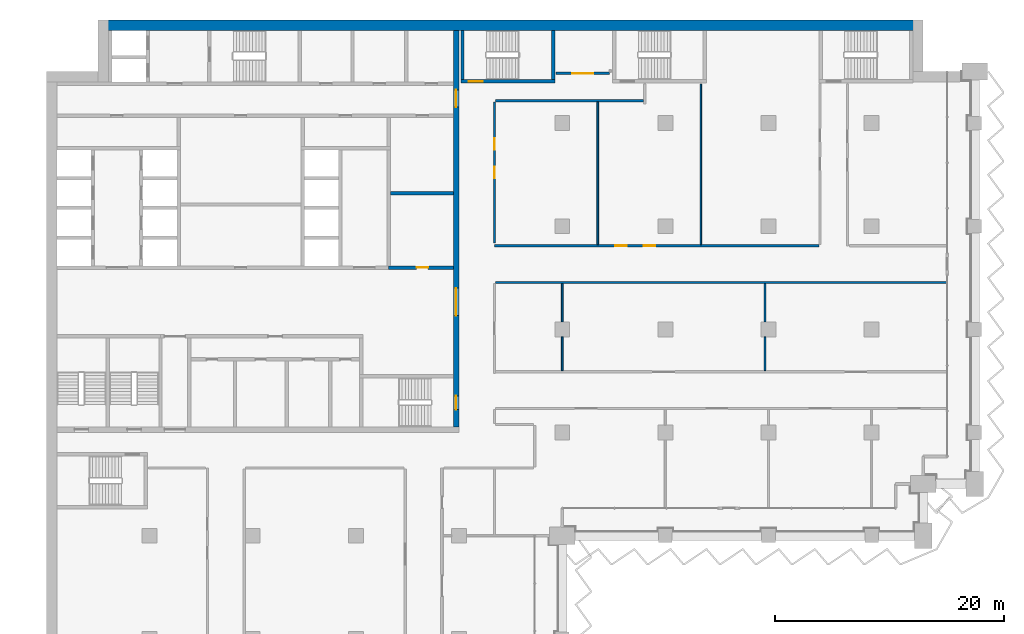
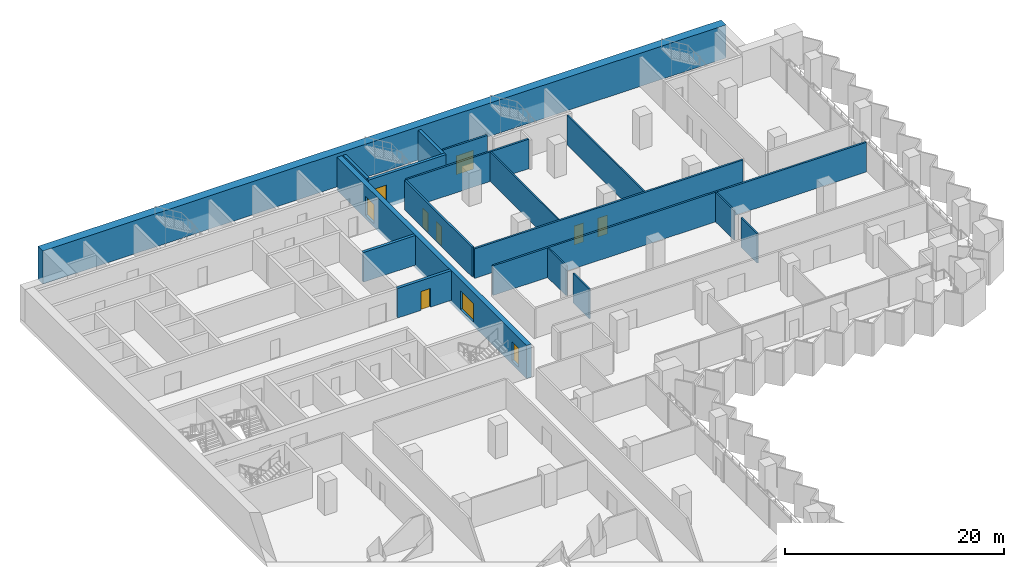
# One storey, part 14 of 23: 18 walls, 10 doors, 10 openings.
"""IFC4 building model written with IfcOpenShell, lengths in metres."""

from ifc_helpers import new_model, si_unit, direction, frame, frame_2d, origin, place, context, subcontext, project, spatial, rectangle, extrude, material, layer, layer_set, type_object, element, fill, save


model = new_model("IFC4")

# Units and contexts
model_context = context("Model", 3, precision=1e-05, world=origin(), true_north=direction((0.0, 1.0)))
body_context = subcontext(model_context, "Body", "Model", "MODEL_VIEW")
ifc_project = project(units=[si_unit("LENGTHUNIT", "METRE"), si_unit("AREAUNIT", "SQUARE_METRE"), si_unit("VOLUMEUNIT", "CUBIC_METRE"), si_unit("PLANEANGLEUNIT", "RADIAN"), si_unit("MASSUNIT", "GRAM", prefix="KILO")], contexts=[model_context])

# Site, building, storey
site_placement = place(None, origin())
site = spatial("IfcSite", under=ifc_project, at=site_placement, CompositionType="ELEMENT")
building_placement = place(site_placement, origin())
building = spatial("IfcBuilding", under=site, at=building_placement, Name="Hunhe Ridgeline Campus", CompositionType="ELEMENT")
storey_placement = place(building_placement, frame((0.0, 0.0, 107.0)))
storey = spatial("IfcBuildingStorey", under=building, at=storey_placement, Name="L26", CompositionType="ELEMENT", Elevation=107.0)

# Wall, opening, door
ifc_material_1 = material(Name="Masonry concrete blockwork", Category="masonry")
ifc_layer_1 = layer(ifc_material_1, 0.300048828125)
ifc_layer_set_1 = layer_set([ifc_layer_1], Name="Core room partition 300 concrete block")
wall_type_1 = type_object("IfcWallType", Name="Core room partition 300 concrete block", PredefinedType="PARTITIONING", material=ifc_layer_set_1)
wall_1_placement = place(storey_placement, frame((29.85009765625, 77.39990234375, 0.0), z_axis=(0.0, 0.0, 1.0), x_axis=(1.0, 0.0, 0.0)))
wall_1 = element("IfcWall", 1, at=wall_1_placement, inside=storey, type_object=wall_type_1, Name="L26 core partition 13", PredefinedType="PARTITIONING", context=body_context, shape_type="SweptSolid", body=[
    extrude(rectangle(XDim=5.64990234375, YDim=0.300048828125, at=frame_2d((2.824951171875, 0.0))), origin(), (0.0, 0.0, 1.0), 3.300048828125),
])
opening_1_placement = place(wall_1_placement, frame((2.449951171875, 0.0, 0.0)))
opening_1 = element("IfcOpeningElement", 2, at=opening_1_placement, cuts=wall_1, Name="Opening CD32", PredefinedType="OPENING", context=body_context, shape_type="SweptSolid", body=[
    extrude(rectangle(XDim=1.0, YDim=2.10009765625, at=frame_2d((0.5, 1.050048828125))), frame((0.0, 0.14990234375, 0.0), z_axis=(0.0, -1.0, 0.0), x_axis=(1.0, 0.0, 0.0)), (0.0, 0.0, 1.0), 0.300048828125),
])
ifc_material_2 = material(Name="Solid core timber door leaf", Category="wood")
door_type_1 = type_object("IfcDoorType", Name="Timber door 1000x2100", OperationType="SINGLE_SWING_LEFT", PredefinedType="DOOR", material=ifc_material_2)
door_1_placement = place(opening_1_placement, origin())
door_1 = element("IfcDoor", 3, at=door_1_placement, inside=storey, type_object=door_type_1, Name="L26 door ES0", OperationType="SINGLE_SWING_RIGHT", OverallHeight=2.10009765625, OverallWidth=1.0, PredefinedType="DOOR", context=body_context, shape_type="SweptSolid", body=[
    extrude(rectangle(XDim=1.0, YDim=2.10009765625, at=frame_2d((0.5, 1.050048828125))), frame((0.0, 0.02490234375, 0.0), z_axis=(0.0, -1.0, 0.0), x_axis=(1.0, 0.0, 0.0)), (0.0, 0.0, 1.0), 0.050048828125),
])
fill(opening_1, door_1)

# Wall
wall_2_placement = place(storey_placement, frame((30.0, 83.89990234375, 0.0), z_axis=(0.0, 0.0, 1.0), x_axis=(1.0, 0.0, 0.0)))
element("IfcWall", 4, at=wall_2_placement, inside=storey, type_object=wall_type_1, Name="L26 core partition 21", PredefinedType="PARTITIONING", context=body_context, shape_type="SweptSolid", body=[
    extrude(rectangle(XDim=5.5, YDim=0.300048828125, at=frame_2d((2.75, 0.0))), origin(), (0.0, 0.0, 1.0), 3.300048828125),
])

# Wall, openings, doors
ifc_material_3 = material(Name="Concrete C80", Category="concrete")
ifc_layer_2 = layer(ifc_material_3, 0.5)
ifc_layer_set_2 = layer_set([ifc_layer_2], Name="Core wall 500 reinforced concrete C80")
wall_type_2 = type_object("IfcWallType", Name="Core wall 500 reinforced concrete C80", PredefinedType="SOLIDWALL", material=ifc_layer_set_2)
wall_3_placement = place(storey_placement, frame((35.75, 63.5, -0.39990234375), z_axis=(0.0, 0.0, 1.0), x_axis=(0.0, 1.0, 0.0)))
wall_3 = element("IfcWall", 5, at=wall_3_placement, inside=storey, type_object=wall_type_2, Name="L26 core wall 60", PredefinedType="SOLIDWALL", context=body_context, shape_type="SweptSolid", body=[
    extrude(rectangle(XDim=34.60009765625, YDim=0.5, at=frame_2d((17.300048828125, 0.0))), origin(), (0.0, 0.0, 1.0), 3.699951171875),
])
opening_2_placement = place(wall_3_placement, frame((9.699951171875, 0.0, 0.39990234375)))
opening_2 = element("IfcOpeningElement", 6, at=opening_2_placement, cuts=wall_3, Name="Opening CD4", PredefinedType="OPENING", context=body_context, shape_type="SweptSolid", body=[
    extrude(rectangle(XDim=2.39990234375, YDim=2.10009765625, at=frame_2d((1.199951171875, 1.050048828125))), frame((0.0, 0.25, 0.0), z_axis=(0.0, -1.0, 0.0), x_axis=(1.0, 0.0, 0.0)), (0.0, 0.0, 1.0), 0.5),
])
opening_3_placement = place(wall_3_placement, frame((27.89990234375, 0.0, 0.39990234375)))
opening_3 = element("IfcOpeningElement", 7, at=opening_3_placement, cuts=wall_3, Name="Opening CD5", PredefinedType="OPENING", context=body_context, shape_type="SweptSolid", body=[
    extrude(rectangle(XDim=1.5, YDim=2.10009765625, at=frame_2d((0.75, 1.050048828125))), frame((0.0, 0.25, 0.0), z_axis=(0.0, -1.0, 0.0), x_axis=(1.0, 0.0, 0.0)), (0.0, 0.0, 1.0), 0.5),
])
opening_4_placement = place(wall_3_placement, frame((1.5, 0.0, 0.39990234375)))
opening_4 = element("IfcOpeningElement", 8, at=opening_4_placement, cuts=wall_3, Name="Opening CD15", PredefinedType="OPENING", context=body_context, shape_type="SweptSolid", body=[
    extrude(rectangle(XDim=1.199951171875, YDim=2.10009765625, at=frame_2d((0.60009765625, 1.050048828125))), frame((0.0, 0.25, 0.0), z_axis=(0.0, -1.0, 0.0), x_axis=(1.0, 0.0, 0.0)), (0.0, 0.0, 1.0), 0.5),
])
ifc_material_4 = material(Name="Anodised aluminium and glass", Category="aluminium")
door_type_2 = type_object("IfcDoorType", Name="Glazed double door 2400x2100", OperationType="DOUBLE_DOOR_SINGLE_SWING", PredefinedType="DOOR", material=ifc_material_4)
door_2_placement = place(opening_2_placement, frame((2.39990234375, 0.0, 0.0), z_axis=(0.0, 0.0, 1.0), x_axis=(-1.0, 0.0, 0.0)))
door_2 = element("IfcDoor", 9, at=door_2_placement, inside=storey, type_object=door_type_2, Name="L26 door HALL-FLOOR", OperationType="DOUBLE_DOOR_SINGLE_SWING", OverallHeight=2.10009765625, OverallWidth=2.39990234375, PredefinedType="DOOR", context=body_context, shape_type="SweptSolid", body=[
    extrude(rectangle(XDim=2.39990234375, YDim=2.10009765625, at=frame_2d((1.199951171875, 1.050048828125))), frame((0.0, 0.02490234375, 0.0), z_axis=(0.0, -1.0, 0.0), x_axis=(1.0, 0.0, 0.0)), (0.0, 0.0, 1.0), 0.050048828125),
])
fill(opening_2, door_2)
ifc_material_5 = material(Name="Hollow metal fire door leaf")
door_type_3 = type_object("IfcDoorType", Name="Stair door 1200x2100 FD60", OperationType="SINGLE_SWING_LEFT", PredefinedType="DOOR", material=ifc_material_5)
door_3_placement = place(opening_4_placement, frame((1.199951171875, 0.0, 0.0), z_axis=(0.0, 0.0, 1.0), x_axis=(-1.0, 0.0, 0.0)))
door_3 = element("IfcDoor", 10, at=door_3_placement, inside=storey, type_object=door_type_3, Name="L26 door S2-FLOOR", OperationType="SINGLE_SWING_RIGHT", OverallHeight=2.10009765625, OverallWidth=1.199951171875, PredefinedType="DOOR", context=body_context, shape_type="SweptSolid", body=[
    extrude(rectangle(XDim=1.199951171875, YDim=2.10009765625, at=frame_2d((0.60009765625, 1.050048828125))), frame((0.0, 0.02490234375, 0.0), z_axis=(0.0, -1.0, 0.0), x_axis=(1.0, 0.0, 0.0)), (0.0, 0.0, 1.0), 0.050048828125),
])
fill(opening_4, door_3)
door_type_4 = type_object("IfcDoorType", Name="Timber door 1500x2100", OperationType="SINGLE_SWING_LEFT", PredefinedType="DOOR", material=ifc_material_2)
door_4_placement = place(opening_3_placement, frame((1.5, 0.0, 0.0), z_axis=(0.0, 0.0, 1.0), x_axis=(-1.0, 0.0, 0.0)))
door_4 = element("IfcDoor", 11, at=door_4_placement, inside=storey, type_object=door_type_4, Name="L26 door C1-FLOOR", OperationType="SINGLE_SWING_RIGHT", OverallHeight=2.10009765625, OverallWidth=1.5, PredefinedType="DOOR", context=body_context, shape_type="SweptSolid", body=[
    extrude(rectangle(XDim=1.5, YDim=2.10009765625, at=frame_2d((0.75, 1.050048828125))), frame((0.0, 0.02490234375, 0.0), z_axis=(0.0, -1.0, 0.0), x_axis=(1.0, 0.0, 0.0)), (0.0, 0.0, 1.0), 0.050048828125),
])
fill(opening_3, door_4)

# Wall
ifc_material_6 = material(Name="Gypsum board partition")
ifc_layer_3 = layer(ifc_material_6, 0.199951171875)
ifc_layer_set_3 = layer_set([ifc_layer_3], Name="Corridor partition 200 gypsum board on steel studs")
wall_type_3 = type_object("IfcWallType", Name="Corridor partition 200 gypsum board on steel studs", PredefinedType="PARTITIONING", material=ifc_layer_set_3)
wall_4_placement = place(storey_placement, frame((78.544921875, 76.10009765625, 0.0), z_axis=(0.0, 0.0, 1.0), x_axis=(-1.0, 0.0, 0.0)))
element("IfcWall", 12, at=wall_4_placement, inside=storey, type_object=wall_type_3, Name="F-L26-wall-034", PredefinedType="PARTITIONING", context=body_context, shape_type="SweptSolid", body=[
    extrude(rectangle(XDim=39.344970703125, YDim=0.199951171875, at=frame_2d((19.67236328125, 0.0))), origin(), (0.0, 0.0, 1.0), 3.300048828125),
])

# Wall, openings, doors
wall_5_placement = place(storey_placement, frame((39.10009765625, 79.300048828125, 0.0), z_axis=(0.0, 0.0, 1.0), x_axis=(1.0, 0.0, 0.0)))
wall_5 = element("IfcWall", 13, at=wall_5_placement, inside=storey, type_object=wall_type_3, Name="F-L26-wall-035", PredefinedType="PARTITIONING", context=body_context, shape_type="SweptSolid", body=[
    extrude(rectangle(XDim=28.2998046875, YDim=0.199951171875, at=frame_2d((14.14990234375, 0.0))), origin(), (0.0, 0.0, 1.0), 3.300048828125),
])
opening_5_placement = place(wall_5_placement, frame((10.52392578125, 0.0, 0.0)))
opening_5 = element("IfcOpeningElement", 14, at=opening_5_placement, cuts=wall_5, Name="Opening RD1-026", PredefinedType="OPENING", context=body_context, shape_type="SweptSolid", body=[
    extrude(rectangle(XDim=1.0, YDim=2.10009765625, at=frame_2d((0.5, 1.050048828125))), frame((0.0, 0.10009765625, 0.0), z_axis=(0.0, -1.0, 0.0), x_axis=(1.0, 0.0, 0.0)), (0.0, 0.0, 1.0), 0.199951171875),
])
opening_6_placement = place(wall_5_placement, frame((13.02392578125, 0.0, 0.0)))
opening_6 = element("IfcOpeningElement", 15, at=opening_6_placement, cuts=wall_5, Name="Opening RD1-027", PredefinedType="OPENING", context=body_context, shape_type="SweptSolid", body=[
    extrude(rectangle(XDim=1.0, YDim=2.10009765625, at=frame_2d((0.5, 1.050048828125))), frame((0.0, 0.10009765625, 0.0), z_axis=(0.0, -1.0, 0.0), x_axis=(1.0, 0.0, 0.0)), (0.0, 0.0, 1.0), 0.199951171875),
])
ifc_material_7 = material(Name="Timber door leaf", Category="wood")
door_type_5 = type_object("IfcDoorType", Name="Single fire door 1000x2100 timber FD60", OperationType="NOTDEFINED", PredefinedType="DOOR", material=ifc_material_7)
door_5_placement = place(opening_5_placement, frame((1.0, 0.0, 0.0), z_axis=(0.0, 0.0, 1.0), x_axis=(-1.0, 0.0, 0.0)))
door_5 = element("IfcDoor", 16, at=door_5_placement, inside=storey, type_object=door_type_5, Name="F-L26-door-026", OperationType="SINGLE_SWING_RIGHT", OverallHeight=2.10009765625, OverallWidth=1.0, PredefinedType="DOOR", context=body_context, shape_type="SweptSolid", body=[
    extrude(rectangle(XDim=1.0, YDim=2.10009765625, at=frame_2d((0.5, 1.050048828125))), frame((0.0, 0.02490234375, 0.0), z_axis=(0.0, -1.0, 0.0), x_axis=(1.0, 0.0, 0.0)), (0.0, 0.0, 1.0), 0.050048828125),
])
fill(opening_5, door_5)
door_6_placement = place(opening_6_placement, frame((1.0, 0.0, 0.0), z_axis=(0.0, 0.0, 1.0), x_axis=(-1.0, 0.0, 0.0)))
door_6 = element("IfcDoor", 17, at=door_6_placement, inside=storey, type_object=door_type_5, Name="F-L26-door-027", OperationType="SINGLE_SWING_LEFT", OverallHeight=2.10009765625, OverallWidth=1.0, PredefinedType="DOOR", context=body_context, shape_type="SweptSolid", body=[
    extrude(rectangle(XDim=1.0, YDim=2.10009765625, at=frame_2d((0.5, 1.050048828125))), frame((0.0, 0.02490234375, 0.0), z_axis=(0.0, -1.0, 0.0), x_axis=(1.0, 0.0, 0.0)), (0.0, 0.0, 1.0), 0.050048828125),
])
fill(opening_6, door_6)

# Wall
wall_6_placement = place(storey_placement, frame((52.10009765625, 91.949951171875, 0.0), z_axis=(0.0, 0.0, 1.0), x_axis=(-1.0, 0.0, 0.0)))
element("IfcWall", 18, at=wall_6_placement, inside=storey, type_object=wall_type_3, Name="F-L26-wall-037", PredefinedType="PARTITIONING", context=body_context, shape_type="SweptSolid", body=[
    extrude(rectangle(XDim=12.900146484375, YDim=0.199951171875, at=frame_2d((6.4501953125, 0.0))), origin(), (0.0, 0.0, 1.0), 3.300048828125),
])

# Wall, opening, door
wall_7_placement = place(storey_placement, frame((44.4541015625, 94.35009765625, 0.0), z_axis=(0.0, 0.0, 1.0), x_axis=(1.0, 0.0, 0.0)))
wall_7 = element("IfcWall", 19, at=wall_7_placement, inside=storey, type_object=wall_type_3, Name="F-L26-wall-038", PredefinedType="PARTITIONING", context=body_context, shape_type="SweptSolid", body=[
    extrude(rectangle(XDim=4.6708984375, YDim=0.199951171875, at=frame_2d((2.33544921875, 0.0))), origin(), (0.0, 0.0, 1.0), 3.300048828125),
])
opening_7_placement = place(wall_7_placement, frame((1.435546875, 0.0, 0.0)))
opening_7 = element("IfcOpeningElement", 20, at=opening_7_placement, cuts=wall_7, Name="Opening RD2-034", PredefinedType="OPENING", context=body_context, shape_type="SweptSolid", body=[
    extrude(rectangle(XDim=1.800048828125, YDim=2.10009765625, at=frame_2d((0.89990234375, 1.050048828125))), frame((0.0, 0.10009765625, 0.0), z_axis=(0.0, -1.0, 0.0), x_axis=(1.0, 0.0, 0.0)), (0.0, 0.0, 1.0), 0.199951171875),
])
door_type_6 = type_object("IfcDoorType", Name="Double fire door 1800x2100 timber FD60", OperationType="DOUBLE_DOOR_SINGLE_SWING", PredefinedType="DOOR", material=ifc_material_7)
door_7_placement = place(opening_7_placement, origin())
door_7 = element("IfcDoor", 21, at=door_7_placement, inside=storey, type_object=door_type_6, Name="F-L26-door-034", OperationType="DOUBLE_DOOR_SINGLE_SWING", OverallHeight=2.10009765625, OverallWidth=1.800048828125, PredefinedType="DOOR", context=body_context, shape_type="SweptSolid", body=[
    extrude(rectangle(XDim=1.800048828125, YDim=2.10009765625, at=frame_2d((0.89990234375, 1.050048828125))), frame((0.0, 0.02490234375, 0.0), z_axis=(0.0, -1.0, 0.0), x_axis=(1.0, 0.0, 0.0)), (0.0, 0.0, 1.0), 0.050048828125),
])
fill(opening_7, door_7)

# Wall, openings, doors
wall_8_placement = place(storey_placement, frame((39.10009765625, 91.85009765625, 0.0), z_axis=(0.0, 0.0, 1.0), x_axis=(0.0, -1.0, 0.0)))
wall_8 = element("IfcWall", 22, at=wall_8_placement, inside=storey, type_object=wall_type_3, Name="F-L26-wall-050", PredefinedType="PARTITIONING", context=body_context, shape_type="SweptSolid", body=[
    extrude(rectangle(XDim=12.312255859375, YDim=0.199951171875, at=frame_2d((6.15625, 0.0))), origin(), (0.0, 0.0, 1.0), 3.300048828125),
])
opening_8_placement = place(wall_8_placement, frame((5.656005859375, 0.0, 0.0)))
opening_8 = element("IfcOpeningElement", 23, at=opening_8_placement, cuts=wall_8, Name="Opening RD1-028", PredefinedType="OPENING", context=body_context, shape_type="SweptSolid", body=[
    extrude(rectangle(XDim=1.0, YDim=2.10009765625, at=frame_2d((0.5, 1.050048828125))), frame((0.0, 0.10009765625, 0.0), z_axis=(0.0, -1.0, 0.0), x_axis=(1.0, 0.0, 0.0)), (0.0, 0.0, 1.0), 0.199951171875),
])
opening_9_placement = place(wall_8_placement, frame((3.156005859375, 0.0, 0.0)))
opening_9 = element("IfcOpeningElement", 24, at=opening_9_placement, cuts=wall_8, Name="Opening RD1-031", PredefinedType="OPENING", context=body_context, shape_type="SweptSolid", body=[
    extrude(rectangle(XDim=1.0, YDim=2.10009765625, at=frame_2d((0.5, 1.050048828125))), frame((0.0, 0.10009765625, 0.0), z_axis=(0.0, -1.0, 0.0), x_axis=(1.0, 0.0, 0.0)), (0.0, 0.0, 1.0), 0.199951171875),
])
door_8_placement = place(opening_8_placement, frame((1.0, 0.0, 0.0), z_axis=(0.0, 0.0, 1.0), x_axis=(-1.0, 0.0, 0.0)))
door_8 = element("IfcDoor", 25, at=door_8_placement, inside=storey, type_object=door_type_5, Name="F-L26-door-028", OperationType="SINGLE_SWING_RIGHT", OverallHeight=2.10009765625, OverallWidth=1.0, PredefinedType="DOOR", context=body_context, shape_type="SweptSolid", body=[
    extrude(rectangle(XDim=1.0, YDim=2.10009765625, at=frame_2d((0.5, 1.050048828125))), frame((0.0, 0.02490234375, 0.0), z_axis=(0.0, -1.0, 0.0), x_axis=(1.0, 0.0, 0.0)), (0.0, 0.0, 1.0), 0.050048828125),
])
fill(opening_8, door_8)
door_9_placement = place(opening_9_placement, frame((1.0, 0.0, 0.0), z_axis=(0.0, 0.0, 1.0), x_axis=(-1.0, 0.0, 0.0)))
door_9 = element("IfcDoor", 26, at=door_9_placement, inside=storey, type_object=door_type_5, Name="F-L26-door-031", OperationType="SINGLE_SWING_RIGHT", OverallHeight=2.10009765625, OverallWidth=1.0, PredefinedType="DOOR", context=body_context, shape_type="SweptSolid", body=[
    extrude(rectangle(XDim=1.0, YDim=2.10009765625, at=frame_2d((0.5, 1.050048828125))), frame((0.0, 0.02490234375, 0.0), z_axis=(0.0, -1.0, 0.0), x_axis=(1.0, 0.0, 0.0)), (0.0, 0.0, 1.0), 0.050048828125),
])
fill(opening_9, door_9)

# Walls
ifc_layer_4 = layer(ifc_material_6, 0.14990234375)
ifc_layer_set_4 = layer_set([ifc_layer_4], Name="Room partition 150 gypsum board on steel studs")
wall_type_4 = type_object("IfcWallType", Name="Room partition 150 gypsum board on steel studs", PredefinedType="PARTITIONING", material=ifc_layer_set_4)
wall_9_placement = place(storey_placement, frame((45.0, 71.35009765625, 0.0), z_axis=(0.0, 0.0, 1.0), x_axis=(0.0, -1.0, 0.0)))
element("IfcWall", 27, at=wall_9_placement, inside=storey, type_object=wall_type_4, Name="F-L26-wall-052", PredefinedType="PARTITIONING", context=body_context, shape_type="SweptSolid", body=[
    extrude(rectangle(XDim=2.9501953125, YDim=0.14990234375, at=frame_2d((1.47509765625, 0.0))), origin(), (0.0, 0.0, 1.0), 3.300048828125),
])
wall_10_placement = place(storey_placement, frame((45.0, 76.0, 0.0), z_axis=(0.0, 0.0, 1.0), x_axis=(0.0, -1.0, 0.0)))
element("IfcWall", 28, at=wall_10_placement, inside=storey, type_object=wall_type_4, Name="F-L26-wall-053", PredefinedType="PARTITIONING", context=body_context, shape_type="SweptSolid", body=[
    extrude(rectangle(XDim=3.35009765625, YDim=0.14990234375, at=frame_2d((1.675048828125, 0.0))), origin(), (0.0, 0.0, 1.0), 3.300048828125),
])
wall_11_placement = place(storey_placement, frame((48.10009765625, 91.85009765625, 0.0), z_axis=(0.0, 0.0, 1.0), x_axis=(0.0, -1.0, 0.0)))
element("IfcWall", 29, at=wall_11_placement, inside=storey, type_object=wall_type_4, Name="F-L26-wall-054", PredefinedType="PARTITIONING", context=body_context, shape_type="SweptSolid", body=[
    extrude(rectangle(XDim=12.4501953125, YDim=0.14990234375, at=frame_2d((6.22509765625, 0.0))), origin(), (0.0, 0.0, 1.0), 3.300048828125),
])
wall_12_placement = place(storey_placement, frame((57.10009765625, 93.39599609375, 0.0), z_axis=(0.0, 0.0, 1.0), x_axis=(0.0, -1.0, 0.0)))
element("IfcWall", 30, at=wall_12_placement, inside=storey, type_object=wall_type_4, Name="F-L26-wall-059", PredefinedType="PARTITIONING", context=body_context, shape_type="SweptSolid", body=[
    extrude(rectangle(XDim=13.99609375, YDim=0.14990234375, at=frame_2d((6.998046875, 0.0))), origin(), (0.0, 0.0, 1.0), 3.300048828125),
])
wall_13_placement = place(storey_placement, frame((62.699951171875, 71.35009765625, 0.0), z_axis=(0.0, 0.0, 1.0), x_axis=(0.0, -1.0, 0.0)))
element("IfcWall", 31, at=wall_13_placement, inside=storey, type_object=wall_type_4, Name="F-L26-wall-060", PredefinedType="PARTITIONING", context=body_context, shape_type="SweptSolid", body=[
    extrude(rectangle(XDim=2.9501953125, YDim=0.14990234375, at=frame_2d((1.47509765625, 0.0))), origin(), (0.0, 0.0, 1.0), 3.300048828125),
])
wall_14_placement = place(storey_placement, frame((62.699951171875, 76.0, 0.0), z_axis=(0.0, 0.0, 1.0), x_axis=(0.0, -1.0, 0.0)))
element("IfcWall", 32, at=wall_14_placement, inside=storey, type_object=wall_type_4, Name="F-L26-wall-061", PredefinedType="PARTITIONING", context=body_context, shape_type="SweptSolid", body=[
    extrude(rectangle(XDim=3.35009765625, YDim=0.14990234375, at=frame_2d((1.675048828125, 0.0))), origin(), (0.0, 0.0, 1.0), 3.300048828125),
])
ifc_material_8 = material(Name="Concrete C70", Category="concrete")
ifc_layer_5 = layer(ifc_material_8, 0.89990234375)
ifc_layer_set_5 = layer_set([ifc_layer_5], Name="Spine wall 900 Concrete C70")
wall_type_5 = type_object("IfcWallType", Name="Spine wall 900 Concrete C70", PredefinedType="SHEAR", material=ifc_layer_set_5)
wall_15_placement = place(storey_placement, frame((76.5, 98.550048828125, 0.0), z_axis=(0.0, 0.0, 1.0), x_axis=(-1.0, 0.0, 0.0)))
element("IfcWall", 33, at=wall_15_placement, inside=storey, type_object=wall_type_5, Name="Spine wall SW2-4 L26", PredefinedType="SHEAR", context=body_context, shape_type="SweptSolid", body=[
    extrude(rectangle(XDim=72.0, YDim=0.89990234375, at=frame_2d((36.0, 0.0))), origin(), (0.0, 0.0, 1.0), 3.699951171875),
])

# Wall, opening, door
ifc_layer_6 = layer(ifc_material_3, 0.300048828125)
ifc_layer_set_6 = layer_set([ifc_layer_6], Name="Stair wall 300 reinforced concrete C80")
wall_type_6 = type_object("IfcWallType", Name="Stair wall 300 reinforced concrete C80", PredefinedType="SOLIDWALL", material=ifc_layer_set_6)
wall_16_placement = place(storey_placement, frame((36.14990234375, 93.64990234375, -0.39990234375), z_axis=(0.0, 0.0, 1.0), x_axis=(1.0, 0.0, 0.0)))
wall_16 = element("IfcWall", 34, at=wall_16_placement, inside=storey, type_object=wall_type_6, Name="L26 core wall 29", PredefinedType="SOLIDWALL", context=body_context, shape_type="SweptSolid", body=[
    extrude(rectangle(XDim=8.2001953125, YDim=0.300048828125, at=frame_2d((4.10009765625, 0.0))), origin(), (0.0, 0.0, 1.0), 3.699951171875),
])
opening_10_placement = place(wall_16_placement, frame((0.699951171875, 0.0, 0.39990234375)))
opening_10 = element("IfcOpeningElement", 35, at=opening_10_placement, cuts=wall_16, Name="Opening CD17", PredefinedType="OPENING", context=body_context, shape_type="SweptSolid", body=[
    extrude(rectangle(XDim=1.199951171875, YDim=2.10009765625, at=frame_2d((0.60009765625, 1.050048828125))), frame((0.0, 0.14990234375, 0.0), z_axis=(0.0, -1.0, 0.0), x_axis=(1.0, 0.0, 0.0)), (0.0, 0.0, 1.0), 0.300048828125),
])
door_10_placement = place(opening_10_placement, frame((1.199951171875, 0.0, 0.0), z_axis=(0.0, 0.0, 1.0), x_axis=(-1.0, 0.0, 0.0)))
door_10 = element("IfcDoor", 36, at=door_10_placement, inside=storey, type_object=door_type_3, Name="L26 door E1", OperationType="SINGLE_SWING_RIGHT", OverallHeight=2.10009765625, OverallWidth=1.199951171875, PredefinedType="DOOR", context=body_context, shape_type="SweptSolid", body=[
    extrude(rectangle(XDim=1.199951171875, YDim=2.10009765625, at=frame_2d((0.60009765625, 1.050048828125))), frame((0.0, 0.02490234375, 0.0), z_axis=(0.0, -1.0, 0.0), x_axis=(1.0, 0.0, 0.0)), (0.0, 0.0, 1.0), 0.050048828125),
])
fill(opening_10, door_10)

# Walls
for number, where, z_axis, x_axis, name in (
    (37, (36.300048828125, 93.800048828125, -0.39990234375), (0.0, 0.0, 1.0), (0.0, 1.0, 0.0), "L26 core wall 61"),
    (38, (44.199951171875, 93.800048828125, -0.39990234375), (0.0, 0.0, 1.0), (0.0, 1.0, 0.0), "L26 core wall 62"),
):
    element("IfcWall", number, at=place(storey_placement, frame(where, z_axis=z_axis, x_axis=x_axis)), inside=storey, type_object=wall_type_6, Name=name, PredefinedType="SOLIDWALL", context=body_context, shape_type="SweptSolid", body=[
        extrude(rectangle(XDim=4.300048828125, YDim=0.300048828125, at=frame_2d((2.14990234375, 0.0))), origin(), (0.0, 0.0, 1.0), 3.699951171875),
    ])

save(model, "model.ifc")
